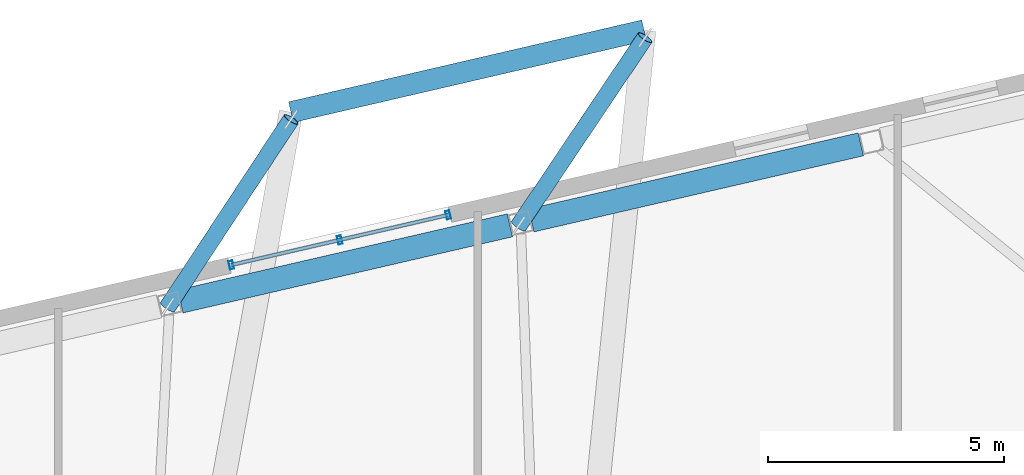
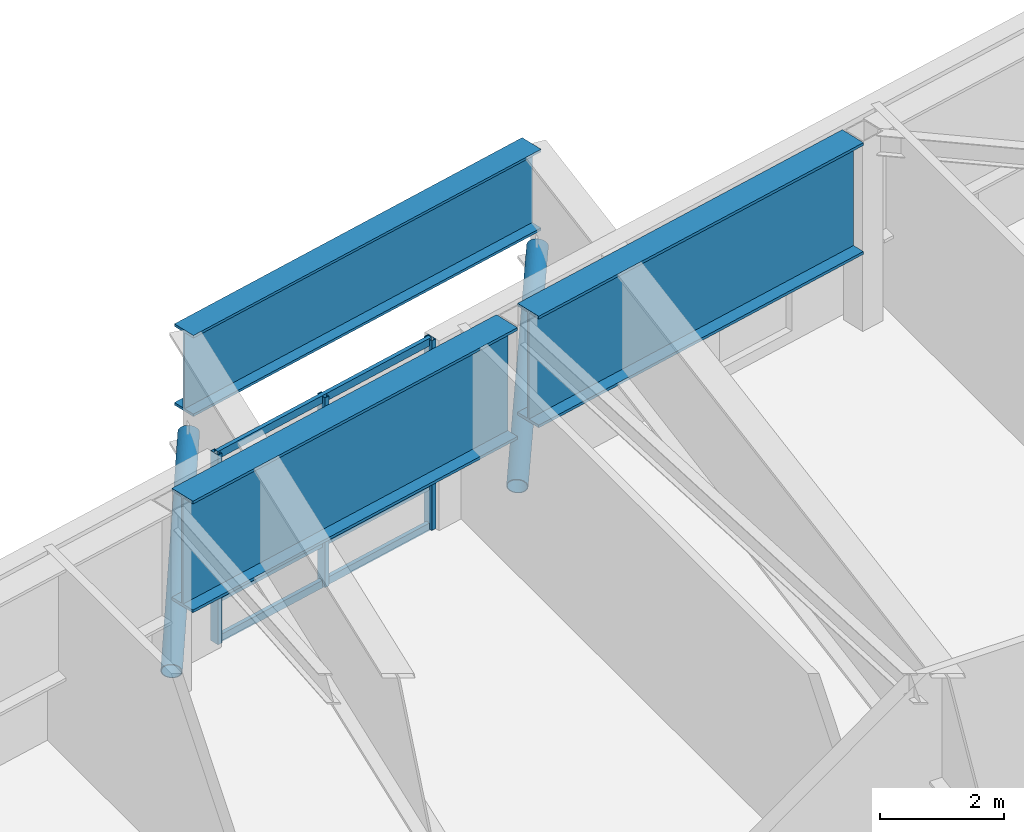
# One storey, part 14 of 23: 8 members, 3 beams, 1 element without a shape of its own.
"""IFC4 building model written with IfcOpenShell, lengths in metres."""

from ifc_helpers import new_model, si_unit, direction, frame, origin, origin_2d, place, context, subcontext, project, spatial, hollow_rectangle, hollow_circle, i_section, extrude, material, layer, layer_set, material_profile, profile_set, type_object, element, aggregate, save


model = new_model("IFC4")

# Units and contexts
model_context = context("Model", 3, precision=1e-05, world=origin(), true_north=direction((0.0, 1.0)))
body_context = subcontext(model_context, "Body", "Model", "MODEL_VIEW")
ifc_project = project(units=[si_unit("LENGTHUNIT", "METRE"), si_unit("AREAUNIT", "SQUARE_METRE"), si_unit("VOLUMEUNIT", "CUBIC_METRE"), si_unit("PLANEANGLEUNIT", "RADIAN"), si_unit("MASSUNIT", "GRAM", prefix="KILO")], contexts=[model_context])

# Site, building, storey
site_placement = place(None, origin())
site = spatial("IfcSite", under=ifc_project, at=site_placement, CompositionType="ELEMENT")
building_placement = place(site_placement, origin())
building = spatial("IfcBuilding", under=site, at=building_placement, Name="Tavrogorsk Clinical Tower", CompositionType="ELEMENT")
storey_placement = place(building_placement, frame((0.0, 0.0, 305.0)))
storey = spatial("IfcBuildingStorey", under=building, at=storey_placement, Name="L71", CompositionType="ELEMENT", Elevation=305.0)

# Curtain wall, members
ifc_material_1 = material(Name="Anodised aluminium and triple IGU glazing", Category="aluminium")
ifc_layer = layer(ifc_material_1, 0.179931640625)
ifc_layer_set = layer_set([ifc_layer], Name="Anodised aluminium and triple IGU glazing")
curtain_wall_type = type_object("IfcCurtainWallType", Name="CW2_NorthSlot", PredefinedType="NOTDEFINED", material=ifc_layer_set)
curtain_wall_placement = place(storey_placement, origin())
curtain_wall = element("IfcCurtainWall", 1, at=curtain_wall_placement, inside=storey, type_object=curtain_wall_type, Name="L71 Curtain Wall CW-L71-N-SLOT-2", PredefinedType="NOTDEFINED")
ifc_material_2 = material(Name="Anodised aluminium alloy AW-6060", Category="aluminium")
ifc_material_profile_1 = material_profile(ifc_material_2, hollow_rectangle(XDim=0.090087890625, YDim=0.179931640625, WallThickness=0.00634765625, at=origin_2d()), Name="RHS-180x90x6.3")
ifc_profile_set_1 = profile_set([ifc_material_profile_1], Name="Anodised aluminium alloy AW-6060")
member_type_1 = type_object("IfcMemberType", Name="CwMullion_180x90", PredefinedType="MULLION", material=ifc_profile_set_1)
member_1_placement = place(storey_placement, frame((2.26904296875, 22.400634765625, 0.0), z_axis=(0.0, 0.0, 1.0), x_axis=(-0.974370092441, -0.224950934554, 0.0)))
member_1 = element("IfcMember", 2, at=member_1_placement, type_object=member_type_1, Name="CW-L71-N-SLOT-2 Mullion 1", PredefinedType="MULLION", context=body_context, shape_type="SweptSolid", body=[
    extrude(hollow_rectangle(XDim=0.090087890625, YDim=0.179931640625, WallThickness=0.00634765625, at=origin_2d()), origin(), (0.0, 0.0, 1.0), 3.739990234375),
])
member_2_placement = place(storey_placement, frame((-0.029541015625, 21.869873046875, 0.0), z_axis=(0.0, 0.0, 1.0), x_axis=(-0.974370092441, -0.224950934554, 0.0)))
member_2 = element("IfcMember", 3, at=member_2_placement, type_object=member_type_1, Name="CW-L71-N-SLOT-2 Mullion 2", PredefinedType="MULLION", context=body_context, shape_type="SweptSolid", body=[
    extrude(hollow_rectangle(XDim=0.090087890625, YDim=0.179931640625, WallThickness=0.00634765625, at=origin_2d()), origin(), (0.0, 0.0, 1.0), 3.739990234375),
])
member_3_placement = place(storey_placement, frame((-2.328125, 21.339111328125, 0.0), z_axis=(0.0, 0.0, 1.0), x_axis=(-0.974370092441, -0.224950934554, 0.0)))
member_3 = element("IfcMember", 4, at=member_3_placement, type_object=member_type_1, Name="CW-L71-N-SLOT-2 Mullion 3", PredefinedType="MULLION", context=body_context, shape_type="SweptSolid", body=[
    extrude(hollow_rectangle(XDim=0.090087890625, YDim=0.179931640625, WallThickness=0.00634765625, at=origin_2d()), origin(), (0.0, 0.0, 1.0), 3.739990234375),
])
ifc_material_3 = material(Name="Anodised aluminium alloy AW-6060", Category="aluminium")
ifc_material_profile_2 = material_profile(ifc_material_3, hollow_rectangle(XDim=0.074951171875, YDim=0.14990234375, WallThickness=0.0048828125, at=origin_2d()), Name="RHS-150x75x5")
ifc_profile_set_2 = profile_set([ifc_material_profile_2], Name="Anodised aluminium alloy AW-6060")
member_type_2 = type_object("IfcMemberType", Name="CwTransom_150x75", PredefinedType="USERDEFINED", material=ifc_profile_set_2)
member_4_placement = place(storey_placement, frame((2.26904296875, 22.400634765625, 0.050048828125), z_axis=(-0.974361535497, -0.224987995557, 0.0), x_axis=(0.224987995557, -0.974361535497, 0.0)))
member_4 = element("IfcMember", 5, at=member_4_placement, type_object=member_type_2, Name="CW-L71-N-SLOT-2 Transom 1", ObjectType="TRANSOM", PredefinedType="USERDEFINED", context=body_context, shape_type="SweptSolid", body=[
    extrude(hollow_rectangle(XDim=0.074951171875, YDim=0.14990234375, WallThickness=0.0048828125, at=origin_2d()), origin(), (0.0, 0.0, 1.0), 4.718017578125),
])
member_5_placement = place(storey_placement, frame((2.26904296875, 22.400634765625, 0.85009765625), z_axis=(-0.974361535497, -0.224987995557, 0.0), x_axis=(0.224987995557, -0.974361535497, 0.0)))
member_5 = element("IfcMember", 6, at=member_5_placement, type_object=member_type_2, Name="CW-L71-N-SLOT-2 Transom 2", ObjectType="TRANSOM", PredefinedType="USERDEFINED", context=body_context, shape_type="SweptSolid", body=[
    extrude(hollow_rectangle(XDim=0.074951171875, YDim=0.14990234375, WallThickness=0.0048828125, at=origin_2d()), origin(), (0.0, 0.0, 1.0), 4.718017578125),
])
member_6_placement = place(storey_placement, frame((2.26904296875, 22.400634765625, 3.68994140625), z_axis=(-0.974361535497, -0.224987995557, 0.0), x_axis=(0.224987995557, -0.974361535497, 0.0)))
member_6 = element("IfcMember", 7, at=member_6_placement, type_object=member_type_2, Name="CW-L71-N-SLOT-2 Transom 3", ObjectType="TRANSOM", PredefinedType="USERDEFINED", context=body_context, shape_type="SweptSolid", body=[
    extrude(hollow_rectangle(XDim=0.074951171875, YDim=0.14990234375, WallThickness=0.0048828125, at=origin_2d()), origin(), (0.0, 0.0, 1.0), 4.718017578125),
])
aggregate(curtain_wall, [member_1, member_2, member_3, member_4, member_5, member_6])

# Members
ifc_material_4 = material(Name="Structural steel S390", Category="steel")
ifc_material_profile_3 = material_profile(ifc_material_4, hollow_circle(Radius=0.177734375, WallThickness=0.01416015625, at=origin_2d()), Name="CHS-355.6x14.2")
ifc_profile_set_3 = profile_set([ifc_material_profile_3], Name="Structural steel S390")
member_type_3 = type_object("IfcMemberType", Name="DayroomStrut_CHS355", PredefinedType="STRUT", material=ifc_profile_set_3)
member_7_placement = place(storey_placement, frame((-3.676513671875, 20.4501953125, 0.427734375), z_axis=(0.527823601621, 0.802126406344, 0.279276697592), x_axis=(-0.835365022912, 0.5496956235, 0.0)))
element("IfcMember", 8, at=member_7_placement, inside=storey, type_object=member_type_3, Name="L72 Day-Room Raking Strut DRB-10-L", PredefinedType="STRUT", context=body_context, shape_type="SweptSolid", body=[
    extrude(hollow_circle(Radius=0.177734375, WallThickness=0.01416015625, at=origin_2d()), origin(), (0.0, 0.0, 1.0), 4.95751953125),
])
member_8_placement = place(storey_placement, frame((3.76171875, 22.167724609375, 0.427978515625), z_axis=(0.536013432846, 0.797603602486, 0.276619039673), x_axis=(-0.829990098338, 0.557778124939, 0.0)))
element("IfcMember", 9, at=member_8_placement, inside=storey, type_object=member_type_3, Name="L72 Day-Room Raking Strut DRB-10-R", PredefinedType="STRUT", context=body_context, shape_type="SweptSolid", body=[
    extrude(hollow_circle(Radius=0.177734375, WallThickness=0.01416015625, at=origin_2d()), origin(), (0.0, 0.0, 1.0), 5.00341796875),
])

# Beams
ifc_material_5 = material(Name="Structural steel S440", Category="steel")
ifc_material_profile_4 = material_profile(ifc_material_5, i_section(OverallWidth=0.449951171875, OverallDepth=1.60009765625, WebThickness=0.031982421875, FlangeThickness=0.050048828125, at=origin_2d()), Name="DK-1600x450x32x50")
ifc_profile_set_4 = profile_set([ifc_material_profile_4], Name="Structural steel S440")
beam_type_1 = type_object("IfcBeamType", Name="TransferGirder_DK1600", PredefinedType="USERDEFINED", material=ifc_profile_set_4)
beam_placement = place(storey_placement, frame((-1.0625, 24.578857421875, 2.93994140625), z_axis=(0.974184613439, 0.225752827087, 0.0), x_axis=(-0.225752827087, 0.974184613439, 0.0)))
element("IfcBeam", 10, at=beam_placement, inside=storey, type_object=beam_type_1, Name="L72 Day-Room Base Edge Girder DRB-10", ObjectType="GIRDER", PredefinedType="USERDEFINED", context=body_context, shape_type="SweptSolid", body=[
    extrude(i_section(OverallWidth=0.449951171875, OverallDepth=1.60009765625, WebThickness=0.031982421875, FlangeThickness=0.050048828125, at=origin_2d()), origin(), (0.0, 0.0, 1.0), 7.68359375),
])
ifc_material_6 = material(Name="Structural steel S440", Category="steel")
ifc_material_profile_5 = material_profile(ifc_material_6, i_section(OverallWidth=0.5, OverallDepth=2.199951171875, WebThickness=0.035888671875, FlangeThickness=0.054931640625, at=origin_2d()), Name="DK-2200x500x36x55")
ifc_profile_set_5 = profile_set([ifc_material_profile_5], Name="Structural steel S440")
beam_type_2 = type_object("IfcBeamType", Name="TransferGirder_DK2200", PredefinedType="USERDEFINED", material=ifc_profile_set_5)
for number, where, z_axis, x_axis, name in (
    (11, (11.01611328125, 23.896484375, 2.639892578125), (-0.974369378592, -0.224954026551, 0.0), (0.224954026551, -0.974369378592, 0.0), "L71 Perimeter Spandrel N2-N3"),
    (12, (3.577392578125, 22.17919921875, 2.639892578125), (-0.974369378592, -0.224954026551, 0.0), (0.224954026551, -0.974369378592, 0.0), "L71 Perimeter Spandrel N3-N4"),
):
    element("IfcBeam", number, at=place(storey_placement, frame(where, z_axis=z_axis, x_axis=x_axis)), inside=storey, type_object=beam_type_2, Name=name, ObjectType="GIRDER", PredefinedType="USERDEFINED", context=body_context, shape_type="SweptSolid", body=[
        extrude(i_section(OverallWidth=0.5, OverallDepth=2.199951171875, WebThickness=0.035888671875, FlangeThickness=0.054931640625, at=origin_2d()), origin(), (0.0, 0.0, 1.0), 7.16845703125),
    ])

save(model, "model.ifc")
